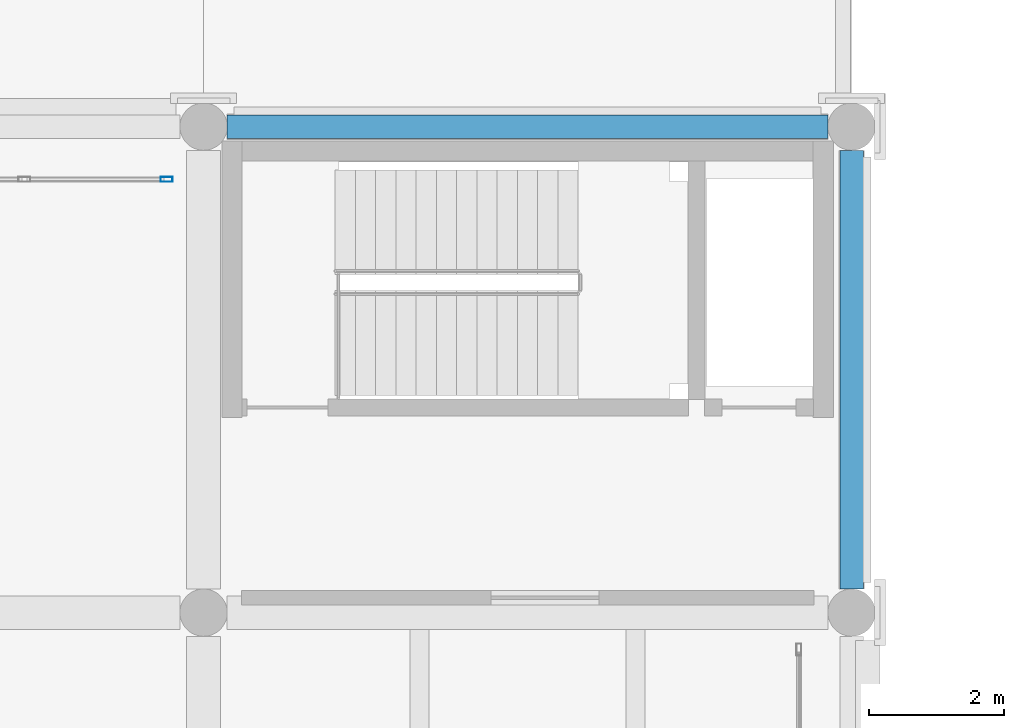
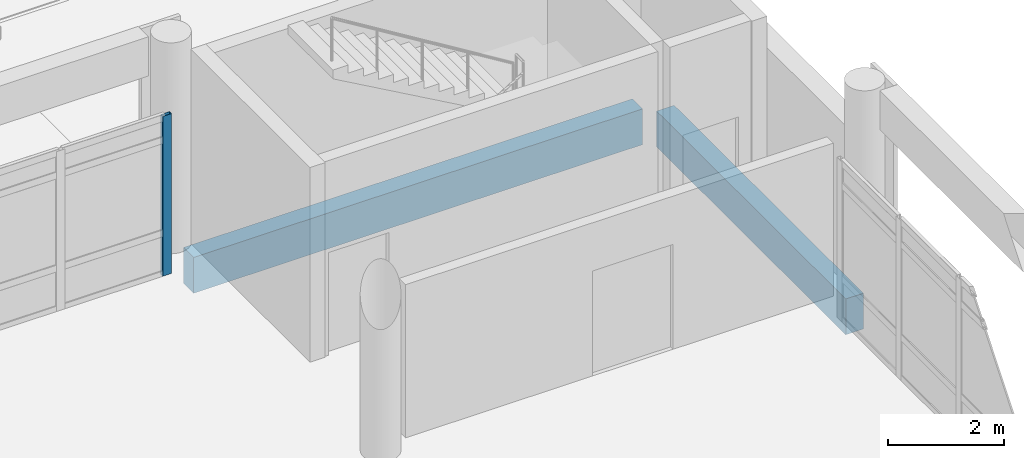
# One storey, part 44 of 196: 2 beams, 1 member, 1 element without a shape of its own.
"""IFC4 building model written with IfcOpenShell, lengths in metres."""

from ifc_helpers import new_model, si_unit, direction, frame, origin, origin_2d, place, context, subcontext, project, spatial, rectangle, hollow_rectangle, extrude, material, layer, layer_set, material_profile, profile_set, type_object, element, aggregate, save


model = new_model("IFC4")

# Units and contexts
model_context = context("Model", 3, precision=1e-05, world=origin(), true_north=direction((0.0, 1.0)))
body_context = subcontext(model_context, "Body", "Model", "MODEL_VIEW")
ifc_project = project(units=[si_unit("LENGTHUNIT", "METRE"), si_unit("AREAUNIT", "SQUARE_METRE"), si_unit("VOLUMEUNIT", "CUBIC_METRE"), si_unit("PLANEANGLEUNIT", "RADIAN"), si_unit("MASSUNIT", "GRAM", prefix="KILO")], contexts=[model_context])

# Site, building, storey
site_placement = place(None, origin())
site = spatial("IfcSite", under=ifc_project, at=site_placement, CompositionType="ELEMENT")
building_placement = place(site_placement, origin())
building = spatial("IfcBuilding", under=site, at=building_placement, Name="Asteropetra Specialist Clinic", CompositionType="ELEMENT")
storey_placement = place(building_placement, origin())
storey = spatial("IfcBuildingStorey", under=building, at=storey_placement, Name="L00", CompositionType="ELEMENT", Elevation=0.0)

# Curtain wall, member
ifc_material_1 = material(Name="Aluminium and low-E glass", Category="aluminium")
ifc_layer = layer(ifc_material_1, 0.14990234375)
ifc_layer_set = layer_set([ifc_layer], Name="Aluminium and low-E glass")
curtain_wall_type = type_object("IfcCurtainWallType", Name="CW-SYS-11", PredefinedType="USERDEFINED", material=ifc_layer_set)
curtain_wall_placement = place(storey_placement, origin())
curtain_wall = element("IfcCurtainWall", 1, at=curtain_wall_placement, inside=storey, type_object=curtain_wall_type, Name="Curtain Wall CW-126", ObjectType="STICK GLAZED COLONNADE", PredefinedType="USERDEFINED")
ifc_material_2 = material(Name="Aluminium 6063-T6", Category="aluminium")
ifc_material_profile_1 = material_profile(ifc_material_2, hollow_rectangle(XDim=0.074951171875, YDim=0.179931640625, WallThickness=0.00390625, InnerFilletRadius=0.00390625, OuterFilletRadius=0.008056640625, at=origin_2d()), Name="MUL 180x75x4.0")
ifc_profile_set_1 = profile_set([ifc_material_profile_1], Name="Aluminium 6063-T6")
member_type = type_object("IfcMemberType", Name="CWM-180x75", PredefinedType="MULLION", material=ifc_profile_set_1)
member_placement = place(storey_placement, frame((47.452392578125, 25.6201171875, 0.0), z_axis=(0.0, 0.0, 1.0), x_axis=(0.0, -1.0, 0.0)))
member = element("IfcMember", 2, at=member_placement, type_object=member_type, Name="CW-126 mullion 1", PredefinedType="MULLION", context=body_context, shape_type="SweptSolid", body=[
    extrude(hollow_rectangle(XDim=0.074951171875, YDim=0.179931640625, WallThickness=0.00390625, InnerFilletRadius=0.00390625, OuterFilletRadius=0.008056640625, at=origin_2d()), origin(), (0.0, 0.0, 1.0), 3.35009765625),
])
aggregate(curtain_wall, [member])

# Beams
ifc_material_3 = material(Name="Concrete C35/45", Category="concrete")
ifc_material_profile_2 = material_profile(ifc_material_3, rectangle(XDim=0.35009765625, YDim=0.75, at=origin_2d()), Name="RCS 350x750")
ifc_profile_set_2 = profile_set([ifc_material_profile_2], Name="Concrete C35/45")
beam_type = type_object("IfcBeamType", Name="SPN-RC350x750", PredefinedType="SPANDREL", material=ifc_profile_set_2)
beam_1_placement = place(storey_placement, frame((48.35009765625, 26.39990234375, -0.715087890625), z_axis=(1.0, 0.0, 0.0), x_axis=(0.0, 1.0, 0.0)))
element("IfcBeam", 3, at=beam_1_placement, inside=storey, type_object=beam_type, Name="Beam BSPN01-0030", PredefinedType="SPANDREL", context=body_context, shape_type="SweptSolid", body=[
    extrude(rectangle(XDim=0.35009765625, YDim=0.75, at=origin_2d()), origin(), (0.0, 0.0, 1.0), 8.89990234375),
])
beam_2_placement = place(storey_placement, frame((57.60009765625, 19.550048828125, -0.715087890625), z_axis=(0.0, 1.0, 0.0), x_axis=(-1.0, 0.0, 0.0)))
element("IfcBeam", 4, at=beam_2_placement, inside=storey, type_object=beam_type, Name="Beam BSPN01-0094", PredefinedType="SPANDREL", context=body_context, shape_type="SweptSolid", body=[
    extrude(rectangle(XDim=0.35009765625, YDim=0.75, at=origin_2d()), origin(), (0.0, 0.0, 1.0), 6.5),
])

save(model, "model.ifc")
